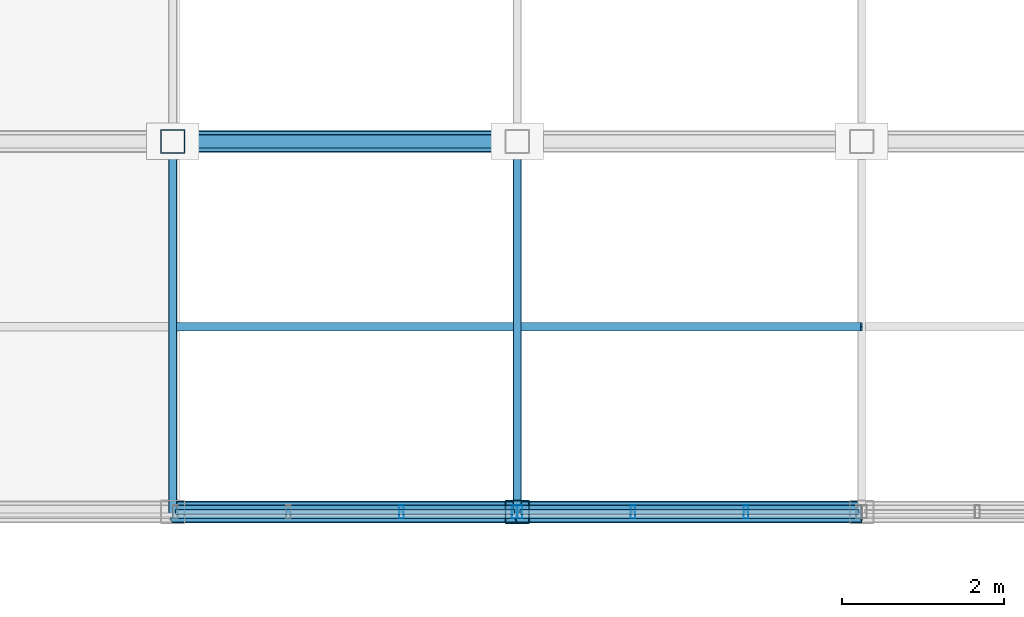
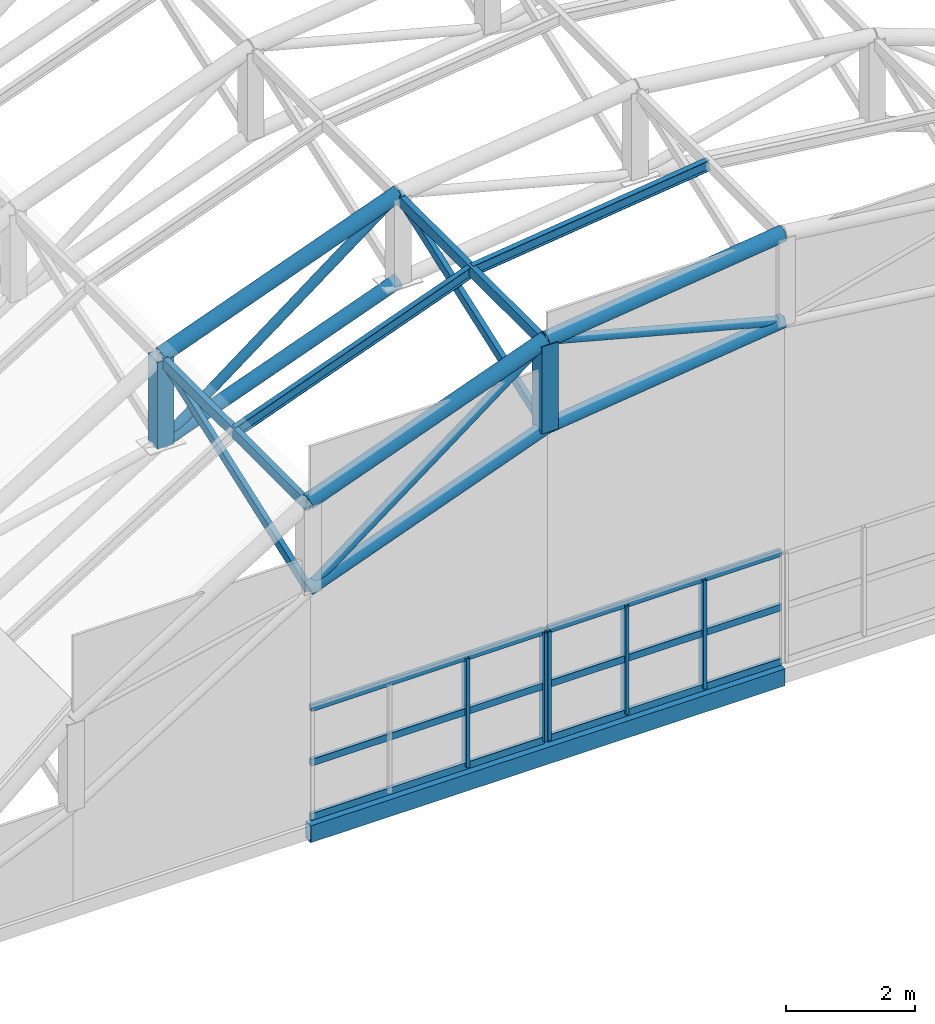
# One storey, part 9 of 86: 28 members, 1 beam, 2 elements without a shape of their own.
"""IFC4 building model written with IfcOpenShell, lengths in metres."""

from ifc_helpers import new_model, si_unit, direction, frame, origin, origin_2d, place, context, subcontext, project, spatial, hollow_rectangle, hollow_circle, i_section, extrude, material, material_profile, profile_set, type_object, element, aggregate, save


model = new_model("IFC4")

# Units and contexts
model_context = context("Model", 3, precision=1e-05, world=origin(), true_north=direction((0.0, 1.0)))
body_context = subcontext(model_context, "Body", "Model", "MODEL_VIEW")
ifc_project = project(units=[si_unit("LENGTHUNIT", "METRE"), si_unit("AREAUNIT", "SQUARE_METRE"), si_unit("VOLUMEUNIT", "CUBIC_METRE"), si_unit("PLANEANGLEUNIT", "RADIAN"), si_unit("MASSUNIT", "GRAM", prefix="KILO")], contexts=[model_context])

# Site, building, storey
site_placement = place(None, origin())
site = spatial("IfcSite", under=ifc_project, at=site_placement, CompositionType="ELEMENT")
building_placement = place(site_placement, origin())
building = spatial("IfcBuilding", under=site, at=building_placement, Name="Solvikara Media Centre", CompositionType="ELEMENT")
storey_placement = place(building_placement, frame((0.0, 0.0, 15.0)))
storey = spatial("IfcBuildingStorey", under=building, at=storey_placement, Name="L03", CompositionType="ELEMENT", Elevation=15.0)

# Beam
ifc_material_1 = material(Name="Steel S355JR", Category="steel")
ifc_material_profile_1 = material_profile(ifc_material_1, hollow_rectangle(XDim=0.159912109375, YDim=0.320068359375, WallThickness=0.010009765625, at=origin_2d()), Name="RHS 320x160x10")
ifc_profile_set_1 = profile_set([ifc_material_profile_1], Name="Steel S355JR")
beam_type = type_object("IfcBeamType", Name="BM-45", PredefinedType="SPANDREL", material=ifc_profile_set_1)
beam_placement = place(storey_placement, frame((8.5, 0.0, -0.260009765625), z_axis=(1.0, 0.0, 0.0), x_axis=(0.0, 1.0, 0.0)))
element("IfcBeam", 1, at=beam_placement, inside=storey, type_object=beam_type, Name="B-L03-X1151", PredefinedType="SPANDREL", context=body_context, shape_type="SweptSolid", body=[
    extrude(hollow_rectangle(XDim=0.159912109375, YDim=0.320068359375, WallThickness=0.010009765625, at=origin_2d()), origin(), (0.0, 0.0, 1.0), 8.5),
])

# Members
ifc_material_profile_2 = material_profile(ifc_material_1, hollow_circle(Radius=0.136474609375, WallThickness=0.010009765625, at=origin_2d()), Name="CHS 273x10")
ifc_profile_set_2 = profile_set([ifc_material_profile_2], Name="Steel S355JR")
member_type_1 = type_object("IfcMemberType", Name="MB-03", PredefinedType="CHORD", material=ifc_profile_set_2)
member_1_placement = place(storey_placement, frame((8.5, 0.0, 6.0048828125), z_axis=(0.937668166589, 0.0, 0.347531882516), x_axis=(0.0, 1.0, 0.0)))
element("IfcMember", 2, at=member_1_placement, inside=storey, type_object=member_type_1, Name="Space Frame Vault Chord GC-TC-00-02", PredefinedType="CHORD", context=body_context, shape_type="SweptSolid", body=[
    extrude(hollow_circle(Radius=0.136474609375, WallThickness=0.010009765625, at=origin_2d()), origin(), (0.0, 0.0, 1.0), 4.532470703125),
])
member_2_placement = place(storey_placement, frame((12.75, 0.0, 7.580078125), z_axis=(0.992459240716, 0.0, 0.122575101536), x_axis=(0.0, 1.0, 0.0)))
element("IfcMember", 3, at=member_2_placement, inside=storey, type_object=member_type_1, Name="Space Frame Vault Chord GC-TC-00-03", PredefinedType="CHORD", context=body_context, shape_type="SweptSolid", body=[
    extrude(hollow_circle(Radius=0.136474609375, WallThickness=0.010009765625, at=origin_2d()), origin(), (0.0, 0.0, 1.0), 4.2822265625),
])
member_3_placement = place(storey_placement, frame((8.5, 4.571044921875, 6.0048828125), z_axis=(0.937668166589, 0.0, 0.347531882516), x_axis=(0.0, 1.0, 0.0)))
element("IfcMember", 4, at=member_3_placement, inside=storey, type_object=member_type_1, Name="Space Frame Vault Chord GC-TC-01-02", PredefinedType="CHORD", context=body_context, shape_type="SweptSolid", body=[
    extrude(hollow_circle(Radius=0.136474609375, WallThickness=0.010009765625, at=origin_2d()), origin(), (0.0, 0.0, 1.0), 4.532470703125),
])
ifc_material_profile_3 = material_profile(ifc_material_1, hollow_circle(Radius=0.122314453125, WallThickness=0.010009765625, at=origin_2d()), Name="CHS 244.5x10")
ifc_profile_set_3 = profile_set([ifc_material_profile_3], Name="Steel S355JR")
member_type_2 = type_object("IfcMemberType", Name="MB-04", PredefinedType="CHORD", material=ifc_profile_set_3)
member_4_placement = place(storey_placement, frame((8.5, 0.0, 4.35498046875), z_axis=(0.93768571843, 0.0, 0.34748452261), x_axis=(0.0, 1.0, 0.0)))
element("IfcMember", 5, at=member_4_placement, inside=storey, type_object=member_type_2, Name="GC-BC-00-02", PredefinedType="CHORD", context=body_context, shape_type="SweptSolid", body=[
    extrude(hollow_circle(Radius=0.122314453125, WallThickness=0.010009765625, at=origin_2d()), origin(), (0.0, 0.0, 1.0), 4.532470703125),
])
member_5_placement = place(storey_placement, frame((12.75, 0.0, 5.929931640625), z_axis=(0.992452303661, 0.0, 0.122631256042), x_axis=(0.0, 1.0, 0.0)))
element("IfcMember", 6, at=member_5_placement, inside=storey, type_object=member_type_2, Name="GC-BC-00-03", PredefinedType="CHORD", context=body_context, shape_type="SweptSolid", body=[
    extrude(hollow_circle(Radius=0.122314453125, WallThickness=0.010009765625, at=origin_2d()), origin(), (0.0, 0.0, 1.0), 4.2822265625),
])
member_6_placement = place(storey_placement, frame((8.5, 4.571044921875, 4.35498046875), z_axis=(0.93768571843, 0.0, 0.34748452261), x_axis=(0.0, 1.0, 0.0)))
element("IfcMember", 7, at=member_6_placement, inside=storey, type_object=member_type_2, Name="GC-BC-01-02", PredefinedType="CHORD", context=body_context, shape_type="SweptSolid", body=[
    extrude(hollow_circle(Radius=0.122314453125, WallThickness=0.010009765625, at=origin_2d()), origin(), (0.0, 0.0, 1.0), 4.532470703125),
])
ifc_material_profile_4 = material_profile(ifc_material_1, hollow_circle(Radius=0.084228515625, WallThickness=0.007080078125, at=origin_2d()), Name="CHS 168.3x7.1")
ifc_profile_set_4 = profile_set([ifc_material_profile_4], Name="Steel S355JR")
member_type_3 = type_object("IfcMemberType", Name="MB-07", PredefinedType="BRACE", material=ifc_profile_set_4)
member_7_placement = place(storey_placement, frame((8.5, 0.0, 4.35498046875), z_axis=(0.796604645228, 0.0, 0.604500652772), x_axis=(0.0, 1.0, 0.0)))
element("IfcMember", 8, at=member_7_placement, inside=storey, type_object=member_type_3, Name="GC-DG-00-02", PredefinedType="BRACE", context=body_context, shape_type="SweptSolid", body=[
    extrude(hollow_circle(Radius=0.084228515625, WallThickness=0.007080078125, at=origin_2d()), origin(), (0.0, 0.0, 1.0), 5.335205078125),
])
member_8_placement = place(storey_placement, frame((12.75, 0.0, 7.580078125), z_axis=(0.966705227862, 0.0, -0.255892560316), x_axis=(0.0, 1.0, 0.0)))
element("IfcMember", 9, at=member_8_placement, inside=storey, type_object=member_type_3, Name="GC-DG-00-03", PredefinedType="BRACE", context=body_context, shape_type="SweptSolid", body=[
    extrude(hollow_circle(Radius=0.084228515625, WallThickness=0.007080078125, at=origin_2d()), origin(), (0.0, 0.0, 1.0), 4.396484375),
])
member_9_placement = place(storey_placement, frame((8.5, 4.571044921875, 4.35498046875), z_axis=(0.796604645228, 0.0, 0.604500652772), x_axis=(0.0, 1.0, 0.0)))
element("IfcMember", 10, at=member_9_placement, inside=storey, type_object=member_type_3, Name="GC-DG-01-02", PredefinedType="BRACE", context=body_context, shape_type="SweptSolid", body=[
    extrude(hollow_circle(Radius=0.084228515625, WallThickness=0.007080078125, at=origin_2d()), origin(), (0.0, 0.0, 1.0), 5.335205078125),
])
ifc_material_profile_5 = material_profile(ifc_material_1, hollow_rectangle(XDim=0.300048828125, YDim=0.300048828125, WallThickness=0.012451171875, at=origin_2d()), Name="RHS 300x300x12.5")
ifc_profile_set_5 = profile_set([ifc_material_profile_5], Name="Steel S355JR")
member_type_4 = type_object("IfcMemberType", Name="MB-11", PredefinedType="CHORD", material=ifc_profile_set_5)
member_10_placement = place(storey_placement, frame((12.75, 0.0, 5.929931640625), z_axis=(0.0, 0.0, 1.0), x_axis=(1.0, 0.0, 0.0)))
element("IfcMember", 11, at=member_10_placement, inside=storey, type_object=member_type_4, Name="GC-VT-00-03", PredefinedType="CHORD", context=body_context, shape_type="SweptSolid", body=[
    extrude(hollow_rectangle(XDim=0.300048828125, YDim=0.300048828125, WallThickness=0.012451171875, at=origin_2d()), origin(), (0.0, 0.0, 1.0), 1.650146484375),
])
member_11_placement = place(storey_placement, frame((8.5, 4.571044921875, 4.35498046875), z_axis=(0.0, 0.0, 1.0), x_axis=(1.0, 0.0, 0.0)))
element("IfcMember", 12, at=member_11_placement, inside=storey, type_object=member_type_4, Name="GC-VT-01-02", PredefinedType="CHORD", context=body_context, shape_type="SweptSolid", body=[
    extrude(hollow_rectangle(XDim=0.300048828125, YDim=0.300048828125, WallThickness=0.012451171875, at=origin_2d()), origin(), (0.0, 0.0, 1.0), 1.64990234375),
])
ifc_material_profile_6 = material_profile(ifc_material_1, hollow_rectangle(XDim=0.10009765625, YDim=0.199951171875, WallThickness=0.00634765625, at=origin_2d()), Name="RHS 200x100x6.3")
ifc_profile_set_6 = profile_set([ifc_material_profile_6], Name="Steel S355JR")
member_type_5 = type_object("IfcMemberType", Name="MB-17", PredefinedType="PURLIN", material=ifc_profile_set_6)
for number, where, z_axis, x_axis, name in (
    (13, (8.5, 0.0, 5.93994140625), (0.0, 1.0, 0.0), (-1.0, 0.0, 0.0), "GC-PRL-00-02"),
    (14, (12.75, 0.0, 7.514892578125), (0.0, 1.0, 0.0), (-1.0, 0.0, 0.0), "GC-PRL-00-03"),
):
    element("IfcMember", number, at=place(storey_placement, frame(where, z_axis=z_axis, x_axis=x_axis)), inside=storey, type_object=member_type_5, Name=name, PredefinedType="PURLIN", context=body_context, shape_type="SweptSolid", body=[
        extrude(hollow_rectangle(XDim=0.10009765625, YDim=0.199951171875, WallThickness=0.00634765625, at=origin_2d()), origin(), (0.0, 0.0, 1.0), 4.571044921875),
    ])
ifc_material_profile_7 = material_profile(ifc_material_1, i_section(OverallWidth=0.10009765625, OverallDepth=0.199951171875, WebThickness=0.005615234375, FlangeThickness=0.008056640625, at=origin_2d()), Name="WF 200x100x5.5x8")
ifc_profile_set_7 = profile_set([ifc_material_profile_7], Name="Steel S355JR")
member_type_6 = type_object("IfcMemberType", Name="MB-21", PredefinedType="PURLIN", material=ifc_profile_set_7)
member_12_placement = place(storey_placement, frame((8.5, 2.284912109375, 5.93994140625), z_axis=(0.93768571843, 0.0, 0.34748452261), x_axis=(0.0, 1.0, 0.0)))
element("IfcMember", 15, at=member_12_placement, inside=storey, type_object=member_type_6, Name="GC-SUB-00-02", PredefinedType="PURLIN", context=body_context, shape_type="SweptSolid", body=[
    extrude(i_section(OverallWidth=0.10009765625, OverallDepth=0.199951171875, WebThickness=0.005615234375, FlangeThickness=0.008056640625, at=origin_2d()), origin(), (0.0, 0.0, 1.0), 4.532470703125),
])
member_13_placement = place(storey_placement, frame((12.75, 2.284912109375, 7.514892578125), z_axis=(0.992452303661, 0.0, 0.122631256042), x_axis=(0.0, 1.0, 0.0)))
element("IfcMember", 16, at=member_13_placement, inside=storey, type_object=member_type_6, Name="GC-SUB-00-03", PredefinedType="PURLIN", context=body_context, shape_type="SweptSolid", body=[
    extrude(i_section(OverallWidth=0.10009765625, OverallDepth=0.199951171875, WebThickness=0.005615234375, FlangeThickness=0.008056640625, at=origin_2d()), origin(), (0.0, 0.0, 1.0), 4.2822265625),
])
ifc_material_profile_8 = material_profile(ifc_material_1, hollow_rectangle(XDim=0.090087890625, YDim=0.169921875, WallThickness=0.0048828125, at=origin_2d()), Name="RHS 170x90x5")
ifc_profile_set_8 = profile_set([ifc_material_profile_8], Name="Steel S355JR")
member_type_7 = type_object("IfcMemberType", Name="MB-26", PredefinedType="PURLIN", material=ifc_profile_set_8)
member_14_placement = place(storey_placement, frame((8.5, 0.0, 4.35498046875), z_axis=(0.0, 0.94060337314, 0.339507429134), x_axis=(-1.0, 0.0, 0.0)))
element("IfcMember", 17, at=member_14_placement, inside=storey, type_object=member_type_7, Name="GC-3D-00-02", PredefinedType="PURLIN", context=body_context, shape_type="SweptSolid", body=[
    extrude(hollow_rectangle(XDim=0.090087890625, YDim=0.169921875, WallThickness=0.0048828125, at=origin_2d()), origin(), (0.0, 0.0, 1.0), 4.859619140625),
])
member_15_placement = place(storey_placement, frame((12.75, 0.0, 5.929931640625), z_axis=(0.0, 0.940587329315, 0.339551875172), x_axis=(-1.0, 0.0, 0.0)))
element("IfcMember", 18, at=member_15_placement, inside=storey, type_object=member_type_7, Name="GC-3D-00-03", PredefinedType="PURLIN", context=body_context, shape_type="SweptSolid", body=[
    extrude(hollow_rectangle(XDim=0.090087890625, YDim=0.169921875, WallThickness=0.0048828125, at=origin_2d()), origin(), (0.0, 0.0, 1.0), 4.85986328125),
])

# Curtain wall, members
ifc_material_2 = material(Name="Anodised aluminium EN AW-6063", Category="aluminium")
curtain_wall_type = type_object("IfcCurtainWallType", Name="CW-07", PredefinedType="NOTDEFINED", material=ifc_material_2)
curtain_wall_1_placement = place(storey_placement, origin())
curtain_wall_1 = element("IfcCurtainWall", 19, at=curtain_wall_1_placement, inside=storey, type_object=curtain_wall_type, Name="CW-GC-CLR-02", PredefinedType="NOTDEFINED")
ifc_material_profile_9 = material_profile(ifc_material_2, hollow_rectangle(XDim=0.06005859375, YDim=0.159912109375, WallThickness=0.00341796875, at=origin_2d()), Name="ALU-M 60x160x3.5")
ifc_profile_set_9 = profile_set([ifc_material_profile_9], Name="Anodised aluminium EN AW-6063")
member_type_8 = type_object("IfcMemberType", Name="MF-04", PredefinedType="MULLION", material=ifc_profile_set_9)
member_16_placement = place(storey_placement, frame((11.322021484375, 0.0, 0.02001953125), z_axis=(0.0, 0.0, 1.0), x_axis=(1.0, 0.0, 0.0)))
member_16 = element("IfcMember", 20, at=member_16_placement, type_object=member_type_8, Name="CW-GC-CLR-02-M02", PredefinedType="MULLION", context=body_context, shape_type="SweptSolid", body=[
    extrude(hollow_rectangle(XDim=0.06005859375, YDim=0.159912109375, WallThickness=0.00341796875, at=origin_2d()), origin(), (0.0, 0.0, 1.0), 2.06005859375),
])
member_17_placement = place(storey_placement, frame((12.715087890625, 0.0, 0.02001953125), z_axis=(0.0, 0.0, 1.0), x_axis=(1.0, 0.0, 0.0)))
member_17 = element("IfcMember", 21, at=member_17_placement, type_object=member_type_8, Name="CW-GC-CLR-02-M03", PredefinedType="MULLION", context=body_context, shape_type="SweptSolid", body=[
    extrude(hollow_rectangle(XDim=0.06005859375, YDim=0.159912109375, WallThickness=0.00341796875, at=origin_2d()), origin(), (0.0, 0.0, 1.0), 2.06005859375),
])

curtain_wall_2_placement = place(storey_placement, origin())
curtain_wall_2 = element("IfcCurtainWall", 22, at=curtain_wall_2_placement, inside=storey, type_object=curtain_wall_type, Name="CW-GC-CLR-03", PredefinedType="NOTDEFINED")
member_18_placement = place(storey_placement, frame((12.784912109375, 0.0, 0.02001953125), z_axis=(0.0, 0.0, 1.0), x_axis=(1.0, 0.0, 0.0)))
member_18 = element("IfcMember", 23, at=member_18_placement, type_object=member_type_8, Name="CW-GC-CLR-03-M00", PredefinedType="MULLION", context=body_context, shape_type="SweptSolid", body=[
    extrude(hollow_rectangle(XDim=0.06005859375, YDim=0.159912109375, WallThickness=0.00341796875, at=origin_2d()), origin(), (0.0, 0.0, 1.0), 2.06005859375),
])
member_19_placement = place(storey_placement, frame((14.177978515625, 0.0, 0.02001953125), z_axis=(0.0, 0.0, 1.0), x_axis=(1.0, 0.0, 0.0)))
member_19 = element("IfcMember", 24, at=member_19_placement, type_object=member_type_8, Name="CW-GC-CLR-03-M01", PredefinedType="MULLION", context=body_context, shape_type="SweptSolid", body=[
    extrude(hollow_rectangle(XDim=0.06005859375, YDim=0.159912109375, WallThickness=0.00341796875, at=origin_2d()), origin(), (0.0, 0.0, 1.0), 2.06005859375),
])
member_20_placement = place(storey_placement, frame((15.572021484375, 0.0, 0.02001953125), z_axis=(0.0, 0.0, 1.0), x_axis=(1.0, 0.0, 0.0)))
member_20 = element("IfcMember", 25, at=member_20_placement, type_object=member_type_8, Name="CW-GC-CLR-03-M02", PredefinedType="MULLION", context=body_context, shape_type="SweptSolid", body=[
    extrude(hollow_rectangle(XDim=0.06005859375, YDim=0.159912109375, WallThickness=0.00341796875, at=origin_2d()), origin(), (0.0, 0.0, 1.0), 2.06005859375),
])

# Member
ifc_material_profile_10 = material_profile(ifc_material_2, hollow_rectangle(XDim=0.06005859375, YDim=0.1298828125, WallThickness=0.0029296875, at=origin_2d()), Name="ALU-T 60x130x3")
ifc_profile_set_10 = profile_set([ifc_material_profile_10], Name="Anodised aluminium EN AW-6063")
member_type_9 = type_object("IfcMemberType", Name="MF-10", PredefinedType="USERDEFINED", material=ifc_profile_set_10)
member_21_placement = place(storey_placement, frame((8.534912109375, 0.0, 0.02001953125), z_axis=(1.0, 0.0, 0.0), x_axis=(0.0, 1.0, 0.0)))
member_21 = element("IfcMember", 26, at=member_21_placement, type_object=member_type_9, Name="CW-GC-CLR-02-T00", ObjectType="TRANSOM", PredefinedType="USERDEFINED", context=body_context, shape_type="SweptSolid", body=[
    extrude(hollow_rectangle(XDim=0.06005859375, YDim=0.1298828125, WallThickness=0.0029296875, at=origin_2d()), origin(), (0.0, 0.0, 1.0), 4.18017578125),
])

member_22_placement = place(storey_placement, frame((8.534912109375, 0.0, 1.050048828125), z_axis=(1.0, 0.0, 0.0), x_axis=(0.0, 1.0, 0.0)))
member_22 = element("IfcMember", 27, at=member_22_placement, type_object=member_type_9, Name="CW-GC-CLR-02-T01", ObjectType="TRANSOM", PredefinedType="USERDEFINED", context=body_context, shape_type="SweptSolid", body=[
    extrude(hollow_rectangle(XDim=0.06005859375, YDim=0.1298828125, WallThickness=0.0029296875, at=origin_2d()), origin(), (0.0, 0.0, 1.0), 4.18017578125),
])

member_23_placement = place(storey_placement, frame((8.534912109375, 0.0, 2.080078125), z_axis=(1.0, 0.0, 0.0), x_axis=(0.0, 1.0, 0.0)))
member_23 = element("IfcMember", 28, at=member_23_placement, type_object=member_type_9, Name="CW-GC-CLR-02-T02", ObjectType="TRANSOM", PredefinedType="USERDEFINED", context=body_context, shape_type="SweptSolid", body=[
    extrude(hollow_rectangle(XDim=0.06005859375, YDim=0.1298828125, WallThickness=0.0029296875, at=origin_2d()), origin(), (0.0, 0.0, 1.0), 4.18017578125),
])

aggregate(curtain_wall_1, [member_16, member_17, member_21, member_22, member_23])

member_24_placement = place(storey_placement, frame((12.784912109375, 0.0, 0.02001953125), z_axis=(1.0, 0.0, 0.0), x_axis=(0.0, 1.0, 0.0)))
member_24 = element("IfcMember", 29, at=member_24_placement, type_object=member_type_9, Name="CW-GC-CLR-03-T00", ObjectType="TRANSOM", PredefinedType="USERDEFINED", context=body_context, shape_type="SweptSolid", body=[
    extrude(hollow_rectangle(XDim=0.06005859375, YDim=0.1298828125, WallThickness=0.0029296875, at=origin_2d()), origin(), (0.0, 0.0, 1.0), 4.18017578125),
])

member_25_placement = place(storey_placement, frame((12.784912109375, 0.0, 1.050048828125), z_axis=(1.0, 0.0, 0.0), x_axis=(0.0, 1.0, 0.0)))
member_25 = element("IfcMember", 30, at=member_25_placement, type_object=member_type_9, Name="CW-GC-CLR-03-T01", ObjectType="TRANSOM", PredefinedType="USERDEFINED", context=body_context, shape_type="SweptSolid", body=[
    extrude(hollow_rectangle(XDim=0.06005859375, YDim=0.1298828125, WallThickness=0.0029296875, at=origin_2d()), origin(), (0.0, 0.0, 1.0), 4.18017578125),
])

member_26_placement = place(storey_placement, frame((12.784912109375, 0.0, 2.080078125), z_axis=(1.0, 0.0, 0.0), x_axis=(0.0, 1.0, 0.0)))
member_26 = element("IfcMember", 31, at=member_26_placement, type_object=member_type_9, Name="CW-GC-CLR-03-T02", ObjectType="TRANSOM", PredefinedType="USERDEFINED", context=body_context, shape_type="SweptSolid", body=[
    extrude(hollow_rectangle(XDim=0.06005859375, YDim=0.1298828125, WallThickness=0.0029296875, at=origin_2d()), origin(), (0.0, 0.0, 1.0), 4.18017578125),
])

aggregate(curtain_wall_2, [member_18, member_19, member_20, member_24, member_25, member_26])

save(model, "model.ifc")
